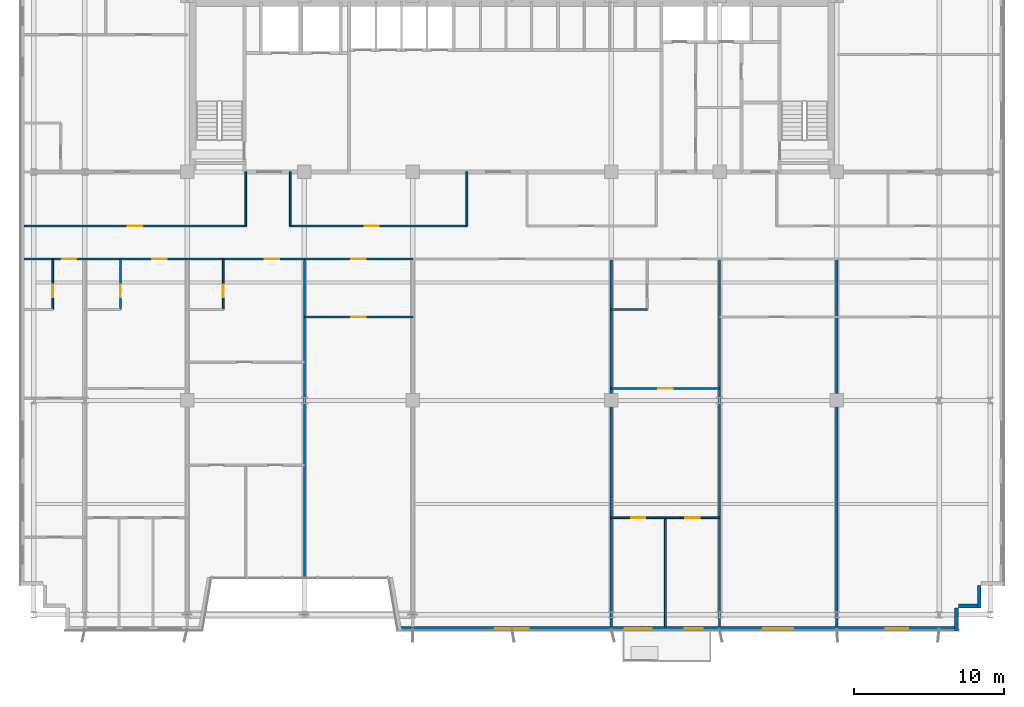
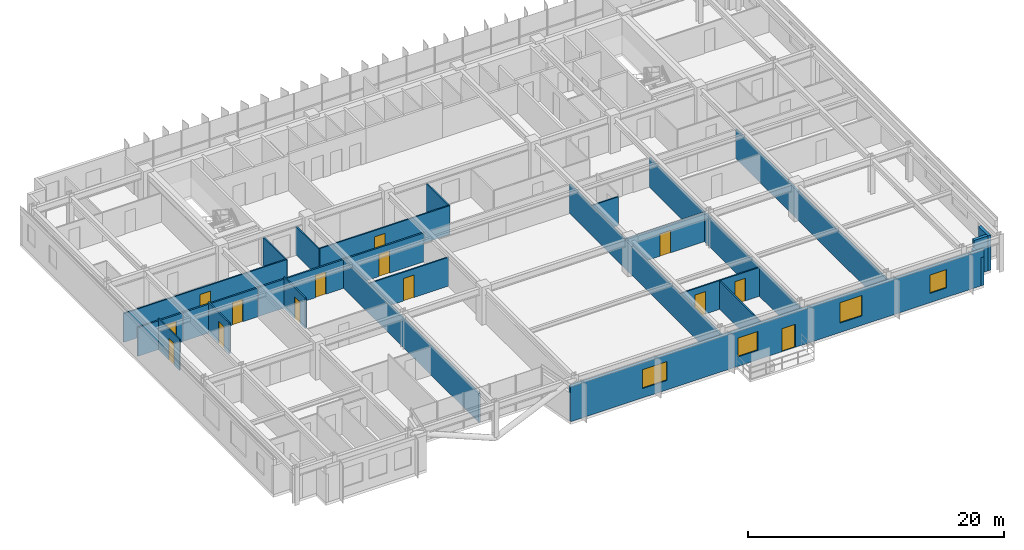
# One storey, part 19 of 25: 26 walls, 14 doors, 4 windows, 18 openings.
"""IFC4 building model written with IfcOpenShell, lengths in metres."""

from ifc_helpers import new_model, si_unit, direction, frame, frame_2d, origin, place, context, subcontext, project, spatial, rectangle, extrude, source, transform, mapped, material, layer, layer_set, type_object, element, fill, save


model = new_model("IFC4")

# Units and contexts
model_context = context("Model", 3, precision=1e-05, world=origin(), true_north=direction((0.0, 1.0)))
body_context = subcontext(model_context, "Body", "Model", "MODEL_VIEW")
ifc_project = project(units=[si_unit("LENGTHUNIT", "METRE"), si_unit("AREAUNIT", "SQUARE_METRE"), si_unit("VOLUMEUNIT", "CUBIC_METRE"), si_unit("PLANEANGLEUNIT", "RADIAN"), si_unit("MASSUNIT", "GRAM", prefix="KILO")], contexts=[model_context])

# Site, building, storey
site_placement = place(None, origin())
site = spatial("IfcSite", under=ifc_project, at=site_placement, CompositionType="ELEMENT")
building_placement = place(site_placement, origin())
building = spatial("IfcBuilding", under=site, at=building_placement, Name="Trelvane Seafront Commons", CompositionType="ELEMENT")
storey_placement = place(building_placement, frame((0.0, 0.0, 66.699951171875)))
storey = spatial("IfcBuildingStorey", under=building, at=storey_placement, Name="L17", CompositionType="ELEMENT", Elevation=66.699951171875)

# Walls
ifc_material_1 = material(Name="Precast concrete C40/50", Category="concrete")
ifc_layer_1 = layer(ifc_material_1, 0.260009765625, Name="ARCH-WALL-EXT260")
ifc_layer_set_1 = layer_set([ifc_layer_1], Name="Precast concrete C40/50")
wall_type_1 = type_object("IfcWallType", Name="ARCH-WALL-EXT260", PredefinedType="SOLIDWALL", material=ifc_layer_set_1)
for number, where, z_axis, x_axis, name in (
    (1, (68.27001953125, 5.89990234375, 0.0), (0.0, 0.0, 1.0), (0.0, -1.0, 0.0), "EW-L17-00317"),
    (2, (68.39990234375, 4.530029296875, 0.0), (0.0, 0.0, 1.0), (-1.0, 0.0, 0.0), "EW-L17-00318"),
):
    element("IfcWall", number, at=place(storey_placement, frame(where, z_axis=z_axis, x_axis=x_axis)), inside=storey, type_object=wall_type_1, Name=name, PredefinedType="SOLIDWALL", context=body_context, shape_type="SweptSolid", body=[
        extrude(rectangle(XDim=1.5, YDim=0.260009765625, at=frame_2d((0.75, 0.0))), origin(), (0.0, 0.0, 1.0), 3.340087890625),
    ])
wall_1_placement = place(storey_placement, frame((66.77001953125, 4.39990234375, 0.0), z_axis=(0.0, 0.0, 1.0), x_axis=(0.0, -1.0, 0.0)))
element("IfcWall", 3, at=wall_1_placement, inside=storey, type_object=wall_type_1, Name="EW-L17-00319", PredefinedType="SOLIDWALL", context=body_context, shape_type="SweptSolid", body=[
    extrude(rectangle(XDim=1.5, YDim=0.260009765625, at=frame_2d((0.75, 0.0))), origin(), (0.0, 0.0, 1.0), 2.68994140625),
])

# Wall, openings, door, windows
wall_2_placement = place(storey_placement, frame((66.89990234375, 3.030029296875, 0.0), z_axis=(0.0, 0.0, 1.0), x_axis=(-1.0, 0.0, 0.0)))
wall_2 = element("IfcWall", 4, at=wall_2_placement, inside=storey, type_object=wall_type_1, Name="EW-L17-00320", PredefinedType="SOLIDWALL", context=body_context, shape_type="SweptSolid", body=[
    extrude(rectangle(XDim=37.2998046875, YDim=0.260009765625, at=frame_2d((18.64990234375, 0.0))), origin(), (0.0, 0.0, 1.0), 3.340087890625),
])
opening_1_placement = place(wall_2_placement, frame((3.344970703125, 0.0, 0.89990234375)))
opening_1 = element("IfcOpeningElement", 5, at=opening_1_placement, cuts=wall_2, Name="Opening W03", PredefinedType="OPENING", context=body_context, shape_type="SweptSolid", body=[
    extrude(rectangle(XDim=1.5, YDim=1.75, at=frame_2d((0.75, 0.875))), frame((0.0, 0.139892578125, 0.0), z_axis=(0.0, -1.0, 0.0), x_axis=(1.0, 0.0, 0.0)), (0.0, 0.0, 1.0), 0.280029296875),
])
opening_2_placement = place(wall_2_placement, frame((11.0, 0.0, 0.89990234375)))
opening_2 = element("IfcOpeningElement", 6, at=opening_2_placement, cuts=wall_2, Name="Opening W06", PredefinedType="OPENING", context=body_context, shape_type="SweptSolid", body=[
    extrude(rectangle(XDim=2.0, YDim=1.949951171875, at=frame_2d((1.0, 0.97509765625))), frame((0.0, 0.139892578125, 0.0), z_axis=(0.0, -1.0, 0.0), x_axis=(1.0, 0.0, 0.0)), (0.0, 0.0, 1.0), 0.280029296875),
])
opening_3_placement = place(wall_2_placement, frame((17.007080078125, 0.0, 0.0)))
opening_3 = element("IfcOpeningElement", 7, at=opening_3_placement, cuts=wall_2, Name="Opening BD-L17-44", PredefinedType="OPENING", context=body_context, shape_type="SweptSolid", body=[
    extrude(rectangle(XDim=1.199951171875, YDim=2.199951171875, at=frame_2d((0.60009765625, 1.10009765625))), frame((0.0, 0.139892578125, 0.0), z_axis=(0.0, -1.0, 0.0), x_axis=(1.0, 0.0, 0.0)), (0.0, 0.0, 1.0), 0.280029296875),
])
opening_4_placement = place(wall_2_placement, frame((20.39990234375, 0.0, 0.89990234375)))
opening_4 = element("IfcOpeningElement", 8, at=opening_4_placement, cuts=wall_2, Name="Opening W01", PredefinedType="OPENING", context=body_context, shape_type="SweptSolid", body=[
    extrude(rectangle(XDim=1.800048828125, YDim=1.800048828125, at=frame_2d((0.89990234375, 0.89990234375))), frame((0.0, 0.139892578125, 0.0), z_axis=(0.0, -1.0, 0.0), x_axis=(1.0, 0.0, 0.0)), (0.0, 0.0, 1.0), 0.280029296875),
])
opening_5_placement = place(wall_2_placement, frame((28.60009765625, 0.0, 0.89990234375)))
opening_5 = element("IfcOpeningElement", 9, at=opening_5_placement, cuts=wall_2, Name="Opening W02", PredefinedType="OPENING", context=body_context, shape_type="SweptSolid", body=[
    extrude(rectangle(XDim=2.199951171875, YDim=1.800048828125, at=frame_2d((1.10009765625, 0.89990234375))), frame((0.0, 0.139892578125, 0.0), z_axis=(0.0, -1.0, 0.0), x_axis=(1.0, 0.0, 0.0)), (0.0, 0.0, 1.0), 0.280029296875),
])
ifc_material_2 = material(Name="Powder-coated aluminium frame", Category="aluminium")
door_type_1 = type_object("IfcDoorType", Name="ARCH-DR-BAL1200", OperationType="NOTDEFINED", PredefinedType="DOOR", material=ifc_material_2)
shared_shape_1 = source(origin(), body_context, "Body", "SweptSolid", [
    extrude(rectangle(XDim=1.199951171875, YDim=2.199951171875, at=frame_2d((0.60009765625, 1.10009765625))), frame((0.0, 0.02490234375, 0.0), z_axis=(0.0, -1.0, 0.0), x_axis=(1.0, 0.0, 0.0)), (0.0, 0.0, 1.0), 0.050048828125),
])
door_1_placement = place(opening_3_placement, origin())
door_1 = element("IfcDoor", 10, at=door_1_placement, inside=storey, type_object=door_type_1, Name="L17 Balcony Terrace Access Door", OperationType="SINGLE_SWING_LEFT", OverallHeight=2.199951171875, OverallWidth=1.199951171875, PredefinedType="DOOR", context=body_context, shape_type="MappedRepresentation", body=[
    mapped(shared_shape_1, transform((0.0, 0.0, 0.0), x_axis=(1.0, 0.0, 0.0), y_axis=(0.0, 1.0, 0.0), z_axis=(0.0, 0.0, 1.0), scale=1.0)),
])
fill(opening_3, door_1)
ifc_material_3 = material(Name="Low-E coastal double glazing", Category="glass")
window_type_1 = type_object("IfcWindowType", Name="ARCH-WIN-W02", PartitioningType="SINGLE_PANEL", PredefinedType="WINDOW", material=ifc_material_3)
shared_shape_2 = source(origin(), body_context, "Body", "SweptSolid", [
    extrude(rectangle(XDim=2.199951171875, YDim=1.800048828125, at=frame_2d((1.10009765625, 0.89990234375))), frame((0.0, 0.030029296875, 0.0), z_axis=(0.0, -1.0, 0.0), x_axis=(1.0, 0.0, 0.0)), (0.0, 0.0, 1.0), 0.06005859375),
])
window_1_placement = place(opening_5_placement, origin())
window_1 = element("IfcWindow", 11, at=window_1_placement, inside=storey, type_object=window_type_1, Name="WIN-L17-00371", OverallHeight=1.800048828125, OverallWidth=2.199951171875, PartitioningType="SINGLE_PANEL", PredefinedType="WINDOW", context=body_context, shape_type="MappedRepresentation", body=[
    mapped(shared_shape_2, transform((0.0, 0.0, 0.0), x_axis=(1.0, 0.0, 0.0), y_axis=(0.0, 1.0, 0.0), z_axis=(0.0, 0.0, 1.0), scale=1.0)),
])
fill(opening_5, window_1)
window_type_2 = type_object("IfcWindowType", Name="ARCH-WIN-W03", PartitioningType="SINGLE_PANEL", PredefinedType="WINDOW", material=ifc_material_3)
shared_shape_3 = source(origin(), body_context, "Body", "SweptSolid", [
    extrude(rectangle(XDim=1.5, YDim=1.75, at=frame_2d((0.75, 0.875))), frame((0.0, 0.030029296875, 0.0), z_axis=(0.0, -1.0, 0.0), x_axis=(1.0, 0.0, 0.0)), (0.0, 0.0, 1.0), 0.06005859375),
])
window_2_placement = place(opening_1_placement, origin())
window_2 = element("IfcWindow", 12, at=window_2_placement, inside=storey, type_object=window_type_2, Name="WIN-L17-00368", OverallHeight=1.75, OverallWidth=1.5, PartitioningType="SINGLE_PANEL", PredefinedType="WINDOW", context=body_context, shape_type="MappedRepresentation", body=[
    mapped(shared_shape_3, transform((0.0, 0.0, 0.0), x_axis=(1.0, 0.0, 0.0), y_axis=(0.0, 1.0, 0.0), z_axis=(0.0, 0.0, 1.0), scale=1.0)),
])
fill(opening_1, window_2)
window_type_3 = type_object("IfcWindowType", Name="ARCH-WIN-W06", PartitioningType="SINGLE_PANEL", PredefinedType="WINDOW", material=ifc_material_3)
shared_shape_4 = source(origin(), body_context, "Body", "SweptSolid", [
    extrude(rectangle(XDim=2.0, YDim=1.949951171875, at=frame_2d((1.0, 0.97509765625))), frame((0.0, 0.030029296875, 0.0), z_axis=(0.0, -1.0, 0.0), x_axis=(1.0, 0.0, 0.0)), (0.0, 0.0, 1.0), 0.06005859375),
])
window_3_placement = place(opening_2_placement, origin())
window_3 = element("IfcWindow", 13, at=window_3_placement, inside=storey, type_object=window_type_3, Name="WIN-L17-00369", OverallHeight=1.949951171875, OverallWidth=2.0, PartitioningType="SINGLE_PANEL", PredefinedType="WINDOW", context=body_context, shape_type="MappedRepresentation", body=[
    mapped(shared_shape_4, transform((0.0, 0.0, 0.0), x_axis=(1.0, 0.0, 0.0), y_axis=(0.0, 1.0, 0.0), z_axis=(0.0, 0.0, 1.0), scale=1.0)),
])
fill(opening_2, window_3)
window_type_4 = type_object("IfcWindowType", Name="ARCH-WIN-W01", PartitioningType="SINGLE_PANEL", PredefinedType="WINDOW", material=ifc_material_3)
shared_shape_5 = source(origin(), body_context, "Body", "SweptSolid", [
    extrude(rectangle(XDim=1.800048828125, YDim=1.800048828125, at=frame_2d((0.89990234375, 0.89990234375))), frame((0.0, 0.030029296875, 0.0), z_axis=(0.0, -1.0, 0.0), x_axis=(1.0, 0.0, 0.0)), (0.0, 0.0, 1.0), 0.06005859375),
])
window_4_placement = place(opening_4_placement, origin())
window_4 = element("IfcWindow", 14, at=window_4_placement, inside=storey, type_object=window_type_4, Name="WIN-L17-00370", OverallHeight=1.800048828125, OverallWidth=1.800048828125, PartitioningType="SINGLE_PANEL", PredefinedType="WINDOW", context=body_context, shape_type="MappedRepresentation", body=[
    mapped(shared_shape_5, transform((0.0, 0.0, 0.0), x_axis=(1.0, 0.0, 0.0), y_axis=(0.0, 1.0, 0.0), z_axis=(0.0, 0.0, 1.0), scale=1.0)),
])
fill(opening_4, window_4)

# Wall, opening, door
ifc_material_4 = material(Name="Gypsum Drywall Acoustic Partition")
ifc_layer_2 = layer(ifc_material_4, 0.1201171875, Name="ARCH-WALL-PART120")
ifc_layer_set_2 = layer_set([ifc_layer_2], Name="Gypsum Drywall Acoustic Partition")
wall_type_2 = type_object("IfcWallType", Name="ARCH-WALL-PART120", PredefinedType="PARTITIONING", material=ifc_layer_set_2)
wall_3_placement = place(storey_placement, frame((4.75, 29.800048828125, 0.0), z_axis=(0.0, 0.0, 1.0), x_axis=(1.0, 0.0, 0.0)))
wall_3 = element("IfcWall", 15, at=wall_3_placement, inside=storey, type_object=wall_type_2, Name="W-L17-CORR-N-W-038", PredefinedType="PARTITIONING", context=body_context, shape_type="SweptSolid", body=[
    extrude(rectangle(XDim=14.75, YDim=0.1201171875, at=frame_2d((7.375, 0.0))), origin(), (0.0, 0.0, 1.0), 2.751953125),
])
opening_6_placement = place(wall_3_placement, frame((6.89990234375, 0.0, 0.0)))
opening_6 = element("IfcOpeningElement", 16, at=opening_6_placement, cuts=wall_3, Name="Opening D-L17-18", PredefinedType="OPENING", context=body_context, shape_type="SweptSolid", body=[
    extrude(rectangle(XDim=0.949951171875, YDim=2.14990234375, at=frame_2d((0.47509765625, 1.074951171875))), frame((0.0, 0.070068359375, 0.0), z_axis=(0.0, -1.0, 0.0), x_axis=(1.0, 0.0, 0.0)), (0.0, 0.0, 1.0), 0.14013671875),
])
ifc_material_5 = material(Name="Acoustic timber door leaf", Category="wood")
door_type_2 = type_object("IfcDoorType", Name="ARCH-DR-INT950", OperationType="NOTDEFINED", PredefinedType="DOOR", material=ifc_material_5)
shared_shape_6 = source(origin(), body_context, "Body", "SweptSolid", [
    extrude(rectangle(XDim=0.949951171875, YDim=2.14990234375, at=frame_2d((0.47509765625, 1.074951171875))), frame((0.0, 0.02490234375, 0.0), z_axis=(0.0, -1.0, 0.0), x_axis=(1.0, 0.0, 0.0)), (0.0, 0.0, 1.0), 0.050048828125),
])
door_2_placement = place(opening_6_placement, origin())
door_2 = element("IfcDoor", 17, at=door_2_placement, inside=storey, type_object=door_type_2, Name="L17 Door 18", OperationType="SINGLE_SWING_RIGHT", OverallHeight=2.14990234375, OverallWidth=0.949951171875, PredefinedType="DOOR", context=body_context, shape_type="MappedRepresentation", body=[
    mapped(shared_shape_6, transform((0.0, 0.0, 0.0), x_axis=(1.0, 0.0, 0.0), y_axis=(0.0, 1.0, 0.0), z_axis=(0.0, 0.0, 1.0), scale=1.0)),
])
fill(opening_6, door_2)

wall_4_placement = place(storey_placement, frame((22.449951171875, 29.800048828125, 0.0), z_axis=(0.0, 0.0, 1.0), x_axis=(1.0, 0.0, 0.0)))
wall_4 = element("IfcWall", 18, at=wall_4_placement, inside=storey, type_object=wall_type_2, Name="W-L17-CORR-N-M1-039", PredefinedType="PARTITIONING", context=body_context, shape_type="SweptSolid", body=[
    extrude(rectangle(XDim=11.75, YDim=0.1201171875, at=frame_2d((5.875, 0.0))), origin(), (0.0, 0.0, 1.0), 2.751953125),
])
opening_7_placement = place(wall_4_placement, frame((4.944091796875, 0.0, 0.0)))
opening_7 = element("IfcOpeningElement", 19, at=opening_7_placement, cuts=wall_4, Name="Opening D-L17-19", PredefinedType="OPENING", context=body_context, shape_type="SweptSolid", body=[
    extrude(rectangle(XDim=0.949951171875, YDim=2.14990234375, at=frame_2d((0.47509765625, 1.074951171875))), frame((0.0, 0.070068359375, 0.0), z_axis=(0.0, -1.0, 0.0), x_axis=(1.0, 0.0, 0.0)), (0.0, 0.0, 1.0), 0.14013671875),
])
door_3_placement = place(opening_7_placement, origin())
door_3 = element("IfcDoor", 20, at=door_3_placement, inside=storey, type_object=door_type_2, Name="L17 Door 19", OperationType="SINGLE_SWING_LEFT", OverallHeight=2.14990234375, OverallWidth=0.949951171875, PredefinedType="DOOR", context=body_context, shape_type="MappedRepresentation", body=[
    mapped(shared_shape_6, transform((0.0, 0.0, 0.0), x_axis=(1.0, 0.0, 0.0), y_axis=(0.0, 1.0, 0.0), z_axis=(0.0, 0.0, 1.0), scale=1.0)),
])
fill(opening_7, door_3)

# Walls
for number, where, z_axis, x_axis, name in (
    (21, (19.5, 29.800048828125, 0.0), (0.0, 0.0, 1.0), (0.0, 1.0, 0.0), "W-L17-N-SPUR-W1-043"),
    (22, (22.449951171875, 29.800048828125, 0.0), (0.0, 0.0, 1.0), (0.0, 1.0, 0.0), "W-L17-N-SPUR-W2-044"),
    (23, (34.199951171875, 29.800048828125, 0.0), (0.0, 0.0, 1.0), (0.0, 1.0, 0.0), "W-L17-N-SPUR-M1-045"),
):
    element("IfcWall", number, at=place(storey_placement, frame(where, z_axis=z_axis, x_axis=x_axis)), inside=storey, type_object=wall_type_2, Name=name, PredefinedType="PARTITIONING", context=body_context, shape_type="SweptSolid", body=[
        extrude(rectangle(XDim=3.599853515625, YDim=0.1201171875, at=frame_2d((1.7998046875, 0.0))), origin(), (0.0, 0.0, 1.0), 2.68994140625),
    ])

# Wall, opening, door
wall_5_placement = place(storey_placement, frame((6.659912109375, 24.25, 0.0), z_axis=(0.0, 0.0, 1.0), x_axis=(0.0, 1.0, 0.0)))
wall_5 = element("IfcWall", 24, at=wall_5_placement, inside=storey, type_object=wall_type_2, Name="W-L17-U1-BE-068", PredefinedType="PARTITIONING", context=body_context, shape_type="SweptSolid", body=[
    extrude(rectangle(XDim=3.35009765625, YDim=0.1201171875, at=frame_2d((1.675048828125, 0.0))), origin(), (0.0, 0.0, 1.0), 2.93994140625),
])
opening_8_placement = place(wall_5_placement, frame((0.800048828125, 0.0, 0.0)))
opening_8 = element("IfcOpeningElement", 25, at=opening_8_placement, cuts=wall_5, Name="Opening D-L17-33", PredefinedType="OPENING", context=body_context, shape_type="SweptSolid", body=[
    extrude(rectangle(XDim=0.85009765625, YDim=2.10009765625, at=frame_2d((0.425048828125, 1.050048828125))), frame((0.0, 0.070068359375, 0.0), z_axis=(0.0, -1.0, 0.0), x_axis=(1.0, 0.0, 0.0)), (0.0, 0.0, 1.0), 0.14013671875),
])
door_type_3 = type_object("IfcDoorType", Name="ARCH-DR-INT850", OperationType="NOTDEFINED", PredefinedType="DOOR", material=ifc_material_5)
shared_shape_7 = source(origin(), body_context, "Body", "SweptSolid", [
    extrude(rectangle(XDim=0.85009765625, YDim=2.10009765625, at=frame_2d((0.425048828125, 1.050048828125))), frame((0.0, 0.02490234375, 0.0), z_axis=(0.0, -1.0, 0.0), x_axis=(1.0, 0.0, 0.0)), (0.0, 0.0, 1.0), 0.050048828125),
])
door_4_placement = place(opening_8_placement, origin())
door_4 = element("IfcDoor", 26, at=door_4_placement, inside=storey, type_object=door_type_3, Name="L17 Door 33", OperationType="SINGLE_SWING_LEFT", OverallHeight=2.10009765625, OverallWidth=0.85009765625, PredefinedType="DOOR", context=body_context, shape_type="MappedRepresentation", body=[
    mapped(shared_shape_7, transform((0.0, 0.0, 0.0), x_axis=(1.0, 0.0, 0.0), y_axis=(0.0, 1.0, 0.0), z_axis=(0.0, 0.0, 1.0), scale=1.0)),
])
fill(opening_8, door_4)

wall_6_placement = place(storey_placement, frame((11.162109375, 24.25, 0.0), z_axis=(0.0, 0.0, 1.0), x_axis=(0.0, 1.0, 0.0)))
wall_6 = element("IfcWall", 27, at=wall_6_placement, inside=storey, type_object=wall_type_2, Name="W-L17-U2-BE-073", PredefinedType="PARTITIONING", context=body_context, shape_type="SweptSolid", body=[
    extrude(rectangle(XDim=3.35009765625, YDim=0.1201171875, at=frame_2d((1.675048828125, 0.0))), origin(), (0.0, 0.0, 1.0), 2.93994140625),
])
opening_9_placement = place(wall_6_placement, frame((0.800048828125, 0.0, 0.0)))
opening_9 = element("IfcOpeningElement", 28, at=opening_9_placement, cuts=wall_6, Name="Opening D-L17-37", PredefinedType="OPENING", context=body_context, shape_type="SweptSolid", body=[
    extrude(rectangle(XDim=0.85009765625, YDim=2.10009765625, at=frame_2d((0.425048828125, 1.050048828125))), frame((0.0, 0.070068359375, 0.0), z_axis=(0.0, -1.0, 0.0), x_axis=(1.0, 0.0, 0.0)), (0.0, 0.0, 1.0), 0.14013671875),
])
door_5_placement = place(opening_9_placement, origin())
door_5 = element("IfcDoor", 29, at=door_5_placement, inside=storey, type_object=door_type_3, Name="L17 Door 37", OperationType="SINGLE_SWING_LEFT", OverallHeight=2.10009765625, OverallWidth=0.85009765625, PredefinedType="DOOR", context=body_context, shape_type="MappedRepresentation", body=[
    mapped(shared_shape_7, transform((0.0, 0.0, 0.0), x_axis=(1.0, 0.0, 0.0), y_axis=(0.0, 1.0, 0.0), z_axis=(0.0, 0.0, 1.0), scale=1.0)),
])
fill(opening_9, door_5)

wall_7_placement = place(storey_placement, frame((18.0, 24.25, 0.0), z_axis=(0.0, 0.0, 1.0), x_axis=(0.0, 1.0, 0.0)))
wall_7 = element("IfcWall", 30, at=wall_7_placement, inside=storey, type_object=wall_type_2, Name="W-L17-U3-BE-082", PredefinedType="PARTITIONING", context=body_context, shape_type="SweptSolid", body=[
    extrude(rectangle(XDim=3.35009765625, YDim=0.1201171875, at=frame_2d((1.675048828125, 0.0))), origin(), (0.0, 0.0, 1.0), 2.93994140625),
])
opening_10_placement = place(wall_7_placement, frame((0.800048828125, 0.0, 0.0)))
opening_10 = element("IfcOpeningElement", 31, at=opening_10_placement, cuts=wall_7, Name="Opening D-L17-43", PredefinedType="OPENING", context=body_context, shape_type="SweptSolid", body=[
    extrude(rectangle(XDim=0.85009765625, YDim=2.10009765625, at=frame_2d((0.425048828125, 1.050048828125))), frame((0.0, 0.070068359375, 0.0), z_axis=(0.0, -1.0, 0.0), x_axis=(1.0, 0.0, 0.0)), (0.0, 0.0, 1.0), 0.14013671875),
])
door_6_placement = place(opening_10_placement, origin())
door_6 = element("IfcDoor", 32, at=door_6_placement, inside=storey, type_object=door_type_3, Name="L17 Door 43", OperationType="SINGLE_SWING_LEFT", OverallHeight=2.10009765625, OverallWidth=0.85009765625, PredefinedType="DOOR", context=body_context, shape_type="MappedRepresentation", body=[
    mapped(shared_shape_7, transform((0.0, 0.0, 0.0), x_axis=(1.0, 0.0, 0.0), y_axis=(0.0, 1.0, 0.0), z_axis=(0.0, 0.0, 1.0), scale=1.0)),
])
fill(opening_10, door_6)

wall_8_placement = place(storey_placement, frame((23.39990234375, 23.75, 0.0), z_axis=(0.0, 0.0, 1.0), x_axis=(1.0, 0.0, 0.0)))
wall_8 = element("IfcWall", 33, at=wall_8_placement, inside=storey, type_object=wall_type_2, Name="W-L17-U4-DIV-089", PredefinedType="PARTITIONING", context=body_context, shape_type="SweptSolid", body=[
    extrude(rectangle(XDim=7.2001953125, YDim=0.1201171875, at=frame_2d((3.60009765625, 0.0))), origin(), (0.0, 0.0, 1.0), 2.751953125),
])
opening_11_placement = place(wall_8_placement, frame((3.125, 0.0, 0.0)))
opening_11 = element("IfcOpeningElement", 34, at=opening_11_placement, cuts=wall_8, Name="Opening D-L17-48", PredefinedType="OPENING", context=body_context, shape_type="SweptSolid", body=[
    extrude(rectangle(XDim=0.949951171875, YDim=2.14990234375, at=frame_2d((0.47509765625, 1.074951171875))), frame((0.0, 0.070068359375, 0.0), z_axis=(0.0, -1.0, 0.0), x_axis=(1.0, 0.0, 0.0)), (0.0, 0.0, 1.0), 0.14013671875),
])
door_7_placement = place(opening_11_placement, origin())
door_7 = element("IfcDoor", 35, at=door_7_placement, inside=storey, type_object=door_type_2, Name="L17 Door 48", OperationType="SINGLE_SWING_RIGHT", OverallHeight=2.14990234375, OverallWidth=0.949951171875, PredefinedType="DOOR", context=body_context, shape_type="MappedRepresentation", body=[
    mapped(shared_shape_6, transform((0.0, 0.0, 0.0), x_axis=(1.0, 0.0, 0.0), y_axis=(0.0, 1.0, 0.0), z_axis=(0.0, 0.0, 1.0), scale=1.0)),
])
fill(opening_11, door_7)

wall_9_placement = place(storey_placement, frame((43.800048828125, 19.0, 0.0), z_axis=(0.0, 0.0, 1.0), x_axis=(1.0, 0.0, 0.0)))
wall_9 = element("IfcWall", 36, at=wall_9_placement, inside=storey, type_object=wall_type_2, Name="W-L17-U6-KL-091", PredefinedType="PARTITIONING", context=body_context, shape_type="SweptSolid", body=[
    extrude(rectangle(XDim=7.199951171875, YDim=0.1201171875, at=frame_2d((3.60009765625, 0.0))), origin(), (0.0, 0.0, 1.0), 2.751953125),
])
opening_12_placement = place(wall_9_placement, frame((3.125, 0.0, 0.0)))
opening_12 = element("IfcOpeningElement", 37, at=opening_12_placement, cuts=wall_9, Name="Opening D-L17-50", PredefinedType="OPENING", context=body_context, shape_type="SweptSolid", body=[
    extrude(rectangle(XDim=0.949951171875, YDim=2.14990234375, at=frame_2d((0.47509765625, 1.074951171875))), frame((0.0, 0.070068359375, 0.0), z_axis=(0.0, -1.0, 0.0), x_axis=(1.0, 0.0, 0.0)), (0.0, 0.0, 1.0), 0.14013671875),
])
door_8_placement = place(opening_12_placement, origin())
door_8 = element("IfcDoor", 38, at=door_8_placement, inside=storey, type_object=door_type_2, Name="L17 Door 50", OperationType="SINGLE_SWING_RIGHT", OverallHeight=2.14990234375, OverallWidth=0.949951171875, PredefinedType="DOOR", context=body_context, shape_type="MappedRepresentation", body=[
    mapped(shared_shape_6, transform((0.0, 0.0, 0.0), x_axis=(1.0, 0.0, 0.0), y_axis=(0.0, 1.0, 0.0), z_axis=(0.0, 0.0, 1.0), scale=1.0)),
])
fill(opening_12, door_8)

# Wall
wall_10_placement = place(storey_placement, frame((43.800048828125, 24.25, 0.0), z_axis=(0.0, 0.0, 1.0), x_axis=(1.0, 0.0, 0.0)))
element("IfcWall", 39, at=wall_10_placement, inside=storey, type_object=wall_type_2, Name="W-L17-U6-BS-093", PredefinedType="PARTITIONING", context=body_context, shape_type="SweptSolid", body=[
    extrude(rectangle(XDim=2.39990234375, YDim=0.1201171875, at=frame_2d((1.199951171875, 0.0))), origin(), (0.0, 0.0, 1.0), 2.751953125),
])

# Wall, opening, door
wall_11_placement = place(storey_placement, frame((43.800048828125, 10.39990234375, 0.0), z_axis=(0.0, 0.0, 1.0), x_axis=(1.0, 0.0, 0.0)))
wall_11 = element("IfcWall", 40, at=wall_11_placement, inside=storey, type_object=wall_type_2, Name="W-L17-U6-YM-1-095", PredefinedType="PARTITIONING", context=body_context, shape_type="SweptSolid", body=[
    extrude(rectangle(XDim=3.599853515625, YDim=0.1201171875, at=frame_2d((1.7998046875, 0.0))), origin(), (0.0, 0.0, 1.0), 2.751953125),
])
opening_13_placement = place(wall_11_placement, frame((1.324951171875, 0.0, 0.0)))
opening_13 = element("IfcOpeningElement", 41, at=opening_13_placement, cuts=wall_11, Name="Opening D-L17-53", PredefinedType="OPENING", context=body_context, shape_type="SweptSolid", body=[
    extrude(rectangle(XDim=0.949951171875, YDim=2.14990234375, at=frame_2d((0.47509765625, 1.074951171875))), frame((0.0, 0.070068359375, 0.0), z_axis=(0.0, -1.0, 0.0), x_axis=(1.0, 0.0, 0.0)), (0.0, 0.0, 1.0), 0.14013671875),
])
door_9_placement = place(opening_13_placement, origin())
door_9 = element("IfcDoor", 42, at=door_9_placement, inside=storey, type_object=door_type_2, Name="L17 Door 53", OperationType="SINGLE_SWING_LEFT", OverallHeight=2.14990234375, OverallWidth=0.949951171875, PredefinedType="DOOR", context=body_context, shape_type="MappedRepresentation", body=[
    mapped(shared_shape_6, transform((0.0, 0.0, 0.0), x_axis=(1.0, 0.0, 0.0), y_axis=(0.0, 1.0, 0.0), z_axis=(0.0, 0.0, 1.0), scale=1.0)),
])
fill(opening_13, door_9)

wall_12_placement = place(storey_placement, frame((47.39990234375, 10.39990234375, 0.0), z_axis=(0.0, 0.0, 1.0), x_axis=(1.0, 0.0, 0.0)))
wall_12 = element("IfcWall", 43, at=wall_12_placement, inside=storey, type_object=wall_type_2, Name="W-L17-U6-YM-2-096", PredefinedType="PARTITIONING", context=body_context, shape_type="SweptSolid", body=[
    extrude(rectangle(XDim=3.60009765625, YDim=0.1201171875, at=frame_2d((1.800048828125, 0.0))), origin(), (0.0, 0.0, 1.0), 2.751953125),
])
opening_14_placement = place(wall_12_placement, frame((1.324951171875, 0.0, 0.0)))
opening_14 = element("IfcOpeningElement", 44, at=opening_14_placement, cuts=wall_12, Name="Opening D-L17-54", PredefinedType="OPENING", context=body_context, shape_type="SweptSolid", body=[
    extrude(rectangle(XDim=0.949951171875, YDim=2.14990234375, at=frame_2d((0.47509765625, 1.074951171875))), frame((0.0, 0.070068359375, 0.0), z_axis=(0.0, -1.0, 0.0), x_axis=(1.0, 0.0, 0.0)), (0.0, 0.0, 1.0), 0.14013671875),
])
door_10_placement = place(opening_14_placement, origin())
door_10 = element("IfcDoor", 45, at=door_10_placement, inside=storey, type_object=door_type_2, Name="L17 Door 54", OperationType="SINGLE_SWING_RIGHT", OverallHeight=2.14990234375, OverallWidth=0.949951171875, PredefinedType="DOOR", context=body_context, shape_type="MappedRepresentation", body=[
    mapped(shared_shape_6, transform((0.0, 0.0, 0.0), x_axis=(1.0, 0.0, 0.0), y_axis=(0.0, 1.0, 0.0), z_axis=(0.0, 0.0, 1.0), scale=1.0)),
])
fill(opening_14, door_10)

# Walls
wall_13_placement = place(storey_placement, frame((47.39990234375, 3.14501953125, 0.0), z_axis=(0.0, 0.0, 1.0), x_axis=(0.0, 1.0, 0.0)))
element("IfcWall", 46, at=wall_13_placement, inside=storey, type_object=wall_type_2, Name="W-L17-U6-BDV-1-097", PredefinedType="PARTITIONING", context=body_context, shape_type="SweptSolid", body=[
    extrude(rectangle(XDim=7.2548828125, YDim=0.1201171875, at=frame_2d((3.62744140625, 0.0))), origin(), (0.0, 0.0, 1.0), 2.68994140625),
])
ifc_layer_3 = layer(ifc_material_4, 0.14990234375, Name="ARCH-WALL-PART150")
ifc_layer_set_3 = layer_set([ifc_layer_3], Name="Gypsum Drywall Acoustic Partition")
wall_type_3 = type_object("IfcWallType", Name="ARCH-WALL-PART150", PredefinedType="PARTITIONING", material=ifc_layer_set_3)
wall_14_placement = place(storey_placement, frame((23.39990234375, 6.409912109375, 0.0), z_axis=(0.0, 0.0, 1.0), x_axis=(0.0, 1.0, 0.0)))
element("IfcWall", 47, at=wall_14_placement, inside=storey, type_object=wall_type_3, Name="W-L17-PW-3-062", PredefinedType="PARTITIONING", context=body_context, shape_type="SweptSolid", body=[
    extrude(rectangle(XDim=21.190185546875, YDim=0.14990234375, at=frame_2d((10.59521484375, 0.0))), origin(), (0.0, 0.0, 1.0), 2.751953125),
])
for number, where, z_axis, x_axis, name in (
    (48, (43.800048828125, 3.14501953125, 0.0), (0.0, 0.0, 1.0), (0.0, 1.0, 0.0), "W-L17-PW-5-064"),
    (49, (51.0, 3.14501953125, 0.0), (0.0, 0.0, 1.0), (0.0, 1.0, 0.0), "W-L17-PW-6-065"),
    (50, (58.800048828125, 3.14501953125, 0.0), (0.0, 0.0, 1.0), (0.0, 1.0, 0.0), "W-L17-PW-7-066"),
):
    element("IfcWall", number, at=place(storey_placement, frame(where, z_axis=z_axis, x_axis=x_axis)), inside=storey, type_object=wall_type_3, Name=name, PredefinedType="PARTITIONING", context=body_context, shape_type="SweptSolid", body=[
        extrude(rectangle(XDim=24.455078125, YDim=0.14990234375, at=frame_2d((12.2275390625, 0.0))), origin(), (0.0, 0.0, 1.0), 2.751953125),
    ])

# Wall, opening, door
wall_15_placement = place(storey_placement, frame((4.7451171875, 27.60009765625, 0.0), z_axis=(0.0, 0.0, 1.0), x_axis=(1.0, 0.0, 0.0)))
wall_15 = element("IfcWall", 51, at=wall_15_placement, inside=storey, type_object=wall_type_3, Name="W-L17-CS-BAY-1-070", PredefinedType="PARTITIONING", context=body_context, shape_type="SweptSolid", body=[
    extrude(rectangle(XDim=4.054931640625, YDim=0.14990234375, at=frame_2d((2.02734375, 0.0))), origin(), (0.0, 0.0, 1.0), 2.751953125),
])
opening_15_placement = place(wall_15_placement, frame((2.5439453125, 0.0, 0.0)))
opening_15 = element("IfcOpeningElement", 52, at=opening_15_placement, cuts=wall_15, Name="Opening FD-L17-34", PredefinedType="OPENING", context=body_context, shape_type="SweptSolid", body=[
    extrude(rectangle(XDim=0.949951171875, YDim=2.14990234375, at=frame_2d((0.47509765625, 1.074951171875))), frame((0.0, 0.0849609375, 0.0), z_axis=(0.0, -1.0, 0.0), x_axis=(1.0, 0.0, 0.0)), (0.0, 0.0, 1.0), 0.169921875),
])
door_type_4 = type_object("IfcDoorType", Name="ARCH-DR-FD60-950", OperationType="NOTDEFINED", PredefinedType="DOOR", material=ifc_material_2)
door_11_placement = place(opening_15_placement, origin())
door_11 = element("IfcDoor", 53, at=door_11_placement, inside=storey, type_object=door_type_4, Name="L17 Unit 01 Entrance Door", OperationType="SINGLE_SWING_RIGHT", OverallHeight=2.14990234375, OverallWidth=0.949951171875, PredefinedType="DOOR", context=body_context, shape_type="MappedRepresentation", body=[
    mapped(shared_shape_6, transform((0.0, 0.0, 0.0), x_axis=(1.0, 0.0, 0.0), y_axis=(0.0, 1.0, 0.0), z_axis=(0.0, 0.0, 1.0), scale=1.0)),
])
fill(opening_15, door_11)

wall_16_placement = place(storey_placement, frame((8.800048828125, 27.60009765625, 0.0), z_axis=(0.0, 0.0, 1.0), x_axis=(1.0, 0.0, 0.0)))
wall_16 = element("IfcWall", 54, at=wall_16_placement, inside=storey, type_object=wall_type_3, Name="W-L17-CS-BAY-2-075", PredefinedType="PARTITIONING", context=body_context, shape_type="SweptSolid", body=[
    extrude(rectangle(XDim=6.800048828125, YDim=0.14990234375, at=frame_2d((3.39990234375, 0.0))), origin(), (0.0, 0.0, 1.0), 2.751953125),
])
opening_16_placement = place(wall_16_placement, frame((4.489990234375, 0.0, 0.0)))
opening_16 = element("IfcOpeningElement", 55, at=opening_16_placement, cuts=wall_16, Name="Opening FD-L17-38", PredefinedType="OPENING", context=body_context, shape_type="SweptSolid", body=[
    extrude(rectangle(XDim=0.949951171875, YDim=2.14990234375, at=frame_2d((0.47509765625, 1.074951171875))), frame((0.0, 0.0849609375, 0.0), z_axis=(0.0, -1.0, 0.0), x_axis=(1.0, 0.0, 0.0)), (0.0, 0.0, 1.0), 0.169921875),
])
door_12_placement = place(opening_16_placement, origin())
door_12 = element("IfcDoor", 56, at=door_12_placement, inside=storey, type_object=door_type_4, Name="L17 Unit 02 Entrance Door", OperationType="SINGLE_SWING_RIGHT", OverallHeight=2.14990234375, OverallWidth=0.949951171875, PredefinedType="DOOR", context=body_context, shape_type="MappedRepresentation", body=[
    mapped(shared_shape_6, transform((0.0, 0.0, 0.0), x_axis=(1.0, 0.0, 0.0), y_axis=(0.0, 1.0, 0.0), z_axis=(0.0, 0.0, 1.0), scale=1.0)),
])
fill(opening_16, door_12)

wall_17_placement = place(storey_placement, frame((15.60009765625, 27.60009765625, 0.0), z_axis=(0.0, 0.0, 1.0), x_axis=(1.0, 0.0, 0.0)))
wall_17 = element("IfcWall", 57, at=wall_17_placement, inside=storey, type_object=wall_type_3, Name="W-L17-CS-BAY-3-084", PredefinedType="PARTITIONING", context=body_context, shape_type="SweptSolid", body=[
    extrude(rectangle(XDim=7.7998046875, YDim=0.14990234375, at=frame_2d((3.89990234375, 0.0))), origin(), (0.0, 0.0, 1.0), 2.751953125),
])
opening_17_placement = place(wall_17_placement, frame((5.172119140625, 0.0, 0.0)))
opening_17 = element("IfcOpeningElement", 58, at=opening_17_placement, cuts=wall_17, Name="Opening FD-L17-44", PredefinedType="OPENING", context=body_context, shape_type="SweptSolid", body=[
    extrude(rectangle(XDim=0.949951171875, YDim=2.14990234375, at=frame_2d((0.47509765625, 1.074951171875))), frame((0.0, 0.0849609375, 0.0), z_axis=(0.0, -1.0, 0.0), x_axis=(1.0, 0.0, 0.0)), (0.0, 0.0, 1.0), 0.169921875),
])
door_13_placement = place(opening_17_placement, origin())
door_13 = element("IfcDoor", 59, at=door_13_placement, inside=storey, type_object=door_type_4, Name="L17 Unit 03 Entrance Door", OperationType="SINGLE_SWING_RIGHT", OverallHeight=2.14990234375, OverallWidth=0.949951171875, PredefinedType="DOOR", context=body_context, shape_type="MappedRepresentation", body=[
    mapped(shared_shape_6, transform((0.0, 0.0, 0.0), x_axis=(1.0, 0.0, 0.0), y_axis=(0.0, 1.0, 0.0), z_axis=(0.0, 0.0, 1.0), scale=1.0)),
])
fill(opening_17, door_13)

wall_18_placement = place(storey_placement, frame((23.39990234375, 27.60009765625, 0.0), z_axis=(0.0, 0.0, 1.0), x_axis=(1.0, 0.0, 0.0)))
wall_18 = element("IfcWall", 60, at=wall_18_placement, inside=storey, type_object=wall_type_3, Name="W-L17-CS-BAY-4-088", PredefinedType="PARTITIONING", context=body_context, shape_type="SweptSolid", body=[
    extrude(rectangle(XDim=7.2001953125, YDim=0.14990234375, at=frame_2d((3.60009765625, 0.0))), origin(), (0.0, 0.0, 1.0), 2.751953125),
])
opening_18_placement = place(wall_18_placement, frame((3.125, 0.0, 0.0)))
opening_18 = element("IfcOpeningElement", 61, at=opening_18_placement, cuts=wall_18, Name="Opening FD-L17-47", PredefinedType="OPENING", context=body_context, shape_type="SweptSolid", body=[
    extrude(rectangle(XDim=0.949951171875, YDim=2.14990234375, at=frame_2d((0.47509765625, 1.074951171875))), frame((0.0, 0.0849609375, 0.0), z_axis=(0.0, -1.0, 0.0), x_axis=(1.0, 0.0, 0.0)), (0.0, 0.0, 1.0), 0.169921875),
])
door_14_placement = place(opening_18_placement, origin())
door_14 = element("IfcDoor", 62, at=door_14_placement, inside=storey, type_object=door_type_4, Name="L17 Bay 04 Entrance Door", OperationType="SINGLE_SWING_LEFT", OverallHeight=2.14990234375, OverallWidth=0.949951171875, PredefinedType="DOOR", context=body_context, shape_type="MappedRepresentation", body=[
    mapped(shared_shape_6, transform((0.0, 0.0, 0.0), x_axis=(1.0, 0.0, 0.0), y_axis=(0.0, 1.0, 0.0), z_axis=(0.0, 0.0, 1.0), scale=1.0)),
])
fill(opening_18, door_14)

save(model, "model.ifc")
